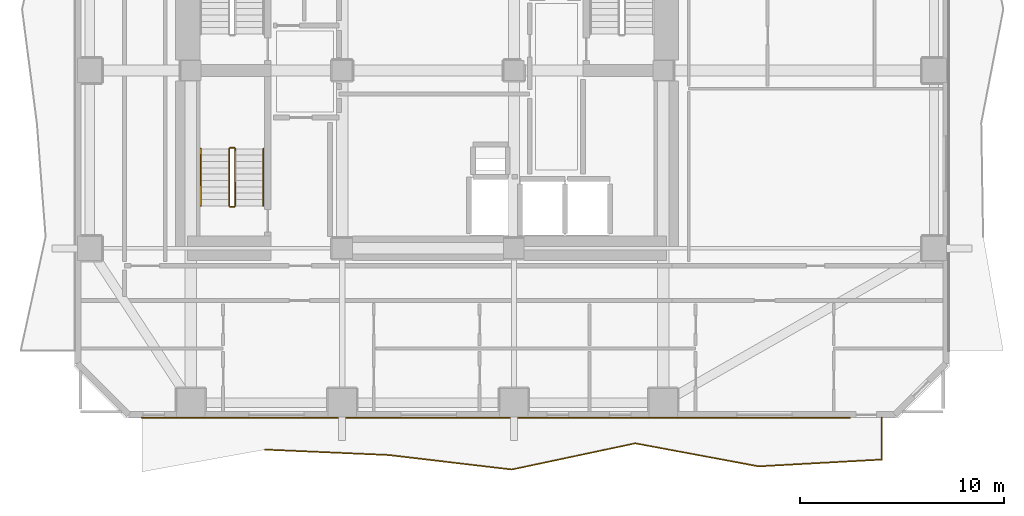
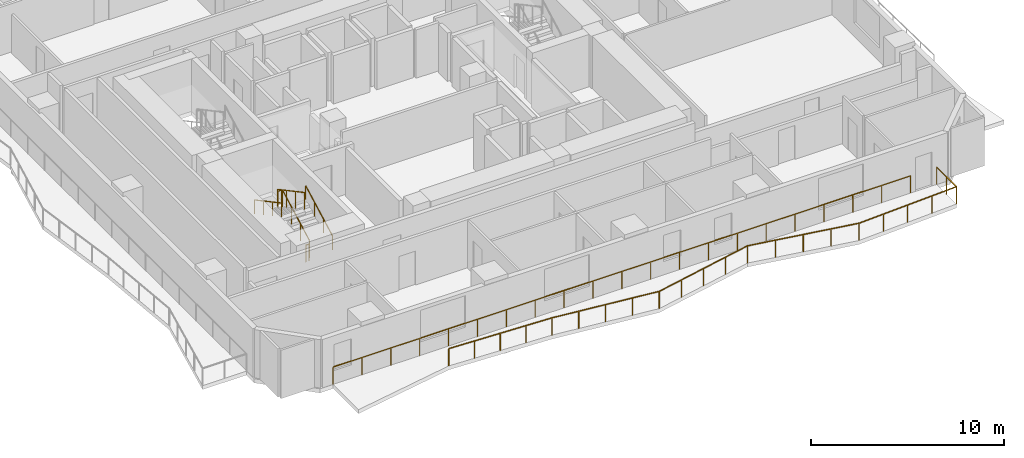
# One storey, part 8 of 11: 8 railings.
"""IFC4 building model written with IfcOpenShell, lengths in metres."""

import ifcopenshell
import ifcopenshell.guid

model = None  # the IFC model being written
_history = None  # IfcOwnerHistory: only IFC2X3 demands one
_inside = {}  # id of a spatial element -> (the spatial element, [elements in it])
_under = {}  # id of a project, library or spatial element -> (it, [spatial elements below it])
_declared = {}  # id of a project -> (the project, [libraries it declares])
_typed = {}  # id of a type object -> (the type object, [elements of that type])
_made_of = {}  # id of a material, layer set ... -> (it, [elements and type objects made of it])


def new_model(schema):
    """Start an empty IFC model of exactly this schema.

    Asked for "IFC4X3", IfcOpenShell would pick the latest addendum, in which some entities
    have other attributes; the version numbers below select the first issue.
    IFC2X3 requires an IfcOwnerHistory on every rooted entity: one is made here for all.
    """
    global model, _history
    if schema == "IFC4X3":
        model = ifcopenshell.file(schema_version=(4, 3, 0, 0))
    else:
        model = ifcopenshell.file(schema=schema)
    _inside.clear()
    _under.clear()
    _declared.clear()
    _typed.clear()
    _made_of.clear()
    _history = None
    if model.schema == "IFC2X3":
        org = make("IfcOrganization", Name="unknown")
        user = make(
            "IfcPersonAndOrganization",
            ThePerson=make("IfcPerson", FamilyName="unknown"),
            TheOrganization=org,
        )
        app = make(
            "IfcApplication",
            ApplicationDeveloper=org,
            Version="unknown",
            ApplicationFullName="unknown",
            ApplicationIdentifier="unknown",
        )
        _history = make(
            "IfcOwnerHistory",
            OwningUser=user,
            OwningApplication=app,
            ChangeAction="ADDED",
            CreationDate=0,
        )
    return model


def make(cls, **values):
    """One entity of the class cls with the attributes given. An attribute that is None is left unset."""
    return model.create_entity(
        cls, **{name: value for name, value in values.items() if value is not None}
    )


def rooted(cls, **values):
    """An entity with a GlobalId (a new one), such as an element, a storey or a relation."""
    return make(cls, GlobalId=ifcopenshell.guid.new(), OwnerHistory=_history, **values)


def si_unit(unit_type, name, prefix=None):
    """IfcSIUnit, for example si_unit("LENGTHUNIT", "METRE", prefix="MILLI")."""
    return make("IfcSIUnit", UnitType=unit_type, Prefix=prefix, Name=name)


def assignment(units):
    """IfcUnitAssignment: the units of a project."""
    return None if units is None else make("IfcUnitAssignment", Units=units)


def point(xyz):
    """IfcCartesianPoint."""
    return None if xyz is None else make("IfcCartesianPoint", Coordinates=xyz)


def direction(xyz):
    """IfcDirection."""
    return None if xyz is None else make("IfcDirection", DirectionRatios=xyz)


def frame(location, z_axis=None, x_axis=None):
    """IfcAxis2Placement3D, a coordinate frame: its origin and axes. An axis left out is left unset."""
    return make(
        "IfcAxis2Placement3D",
        Location=point(location),
        Axis=direction(z_axis),
        RefDirection=direction(x_axis),
    )


def frame_2d(location, x_axis=None):
    """IfcAxis2Placement2D, a coordinate frame in the plane: its origin and x axis."""
    return make(
        "IfcAxis2Placement2D", Location=point(location), RefDirection=direction(x_axis)
    )


def origin():
    """The frame at (0, 0, 0) with its axes left unset."""
    return frame((0.0, 0.0, 0.0))


def origin_2d():
    """The frame at (0, 0) in the plane with its x axis left unset."""
    return frame_2d((0.0, 0.0))


def place(relative_to, where):
    """IfcLocalPlacement: puts the frame where relative to a parent placement (None: the world)."""
    return make(
        "IfcLocalPlacement", PlacementRelTo=relative_to, RelativePlacement=where
    )


def context(
    kind, dimensions, precision=None, world=None, true_north=None, identifier=None
):
    """IfcGeometricRepresentationContext, for example the 3D "Model" context."""
    return make(
        "IfcGeometricRepresentationContext",
        ContextIdentifier=identifier,
        ContextType=kind,
        CoordinateSpaceDimension=dimensions,
        Precision=precision,
        WorldCoordinateSystem=world,
        TrueNorth=true_north,
    )


def subcontext(parent, identifier, kind, view, scale=None):
    """IfcGeometricRepresentationSubContext, for example "Body" below "Model"."""
    return make(
        "IfcGeometricRepresentationSubContext",
        ContextIdentifier=identifier,
        ContextType=kind,
        ParentContext=parent,
        TargetScale=scale,
        TargetView=view,
    )


def project(units=None, contexts=None):
    """IfcProject with its units and contexts."""
    return rooted(
        "IfcProject",
        Name="project",
        RepresentationContexts=contexts,
        UnitsInContext=assignment(units),
    )


def spatial(cls, under=None, at=None, **own):
    """A site, building, storey or space (cls), placed at a placement, below another one or the project."""
    s = rooted(cls, ObjectPlacement=at, **own)
    if under is not None:
        _under.setdefault(under.id(), (under, []))[1].append(s)
    return s


def profile(cls, at=None, kind="AREA", **sizes):
    """A parametric profile (cls). Its sizes go by their IFC names, for example OverallWidth=200.0."""
    return make(cls, ProfileType=kind, Position=at, **sizes)


def rectangle(**sizes):
    """IfcRectangleProfileDef."""
    return profile("IfcRectangleProfileDef", **sizes)


def extrude(swept, where, along, depth):
    """IfcExtrudedAreaSolid: the profile swept, set in the frame where, extruded along a direction by depth."""
    return make(
        "IfcExtrudedAreaSolid",
        SweptArea=swept,
        Position=where,
        ExtrudedDirection=direction(along),
        Depth=depth,
    )


def shape(context_of_items, identifier, shape_type, items):
    """IfcShapeRepresentation: the items that make up one representation, for example the "Body"."""
    return make(
        "IfcShapeRepresentation",
        ContextOfItems=context_of_items,
        RepresentationIdentifier=identifier,
        RepresentationType=shape_type,
        Items=items,
    )


def material(Name=None, Category=None):
    """IfcMaterial."""
    return make("IfcMaterial", Name=Name, Category=Category)


def made_of(thing, what):
    """Note that an element or type object is made of a material, layer set ...; save() writes the relation."""
    if what is not None:
        _made_of.setdefault(what.id(), (what, []))[1].append(thing)
    return thing


def type_object(cls, material=None, **own):
    """A type object (cls), such as IfcWallType, which elements share."""
    return made_of(rooted(cls, **own), material)


def element(
    cls,
    number,
    at=None,
    inside=None,
    cuts=None,
    type_object=None,
    material=None,
    context=None,
    identifier="Body",
    shape_type=None,
    held_by="IfcProductDefinitionShape",
    body=None,
    shapes=None,
    **own,
):
    """One element of the class cls, such as IfcWall. Its Tag is "e" and its number.

    at: its placement. inside: the storey or other place that contains it. cuts: it is an
    opening in that element (IfcRelVoidsElement). A single representation is given by context,
    identifier, shape_type and body (its items); several are given by shapes. held_by: the class
    of the entity that holds the representations. save() writes the other relations.
    """
    e = rooted(cls, Tag="e%d" % number, ObjectPlacement=at, **own)
    if body is not None:
        shapes = [shape(context, identifier, shape_type, body)]
    if shapes is not None:
        e.Representation = make(held_by, Representations=shapes)
    if inside is not None:
        _inside.setdefault(inside.id(), (inside, []))[1].append(e)
    if cuts is not None:
        rooted(
            "IfcRelVoidsElement", RelatingBuildingElement=cuts, RelatedOpeningElement=e
        )
    if type_object is not None:
        _typed.setdefault(type_object.id(), (type_object, []))[1].append(e)
    return made_of(e, material)


def aggregate(whole, parts):
    """IfcRelAggregates: a whole, such as a stair, and the parts it consists of."""
    return rooted("IfcRelAggregates", RelatingObject=whole, RelatedObjects=parts)


def save(model, path):
    """Write the relations noted so far, then the file.

    IfcRelAggregates (storeys below a building ...), IfcRelContainedInSpatialStructure (elements
    in a storey), IfcRelDefinesByType, IfcRelAssociatesMaterial and IfcRelDeclares: one each for
    every whole, place, type object, material and project.
    """
    for whole, parts in _under.values():
        aggregate(whole, parts)
    for where, things in _inside.values():
        rooted(
            "IfcRelContainedInSpatialStructure",
            RelatedElements=things,
            RelatingStructure=where,
        )
    for kind, things in _typed.values():
        rooted("IfcRelDefinesByType", RelatedObjects=things, RelatingType=kind)
    for what, things in _made_of.values():
        rooted("IfcRelAssociatesMaterial", RelatedObjects=things, RelatingMaterial=what)
    for by, libraries in _declared.values():
        rooted("IfcRelDeclares", RelatingContext=by, RelatedDefinitions=libraries)
    model.write(path)


model = new_model("IFC4")

# Units and contexts
model_context = context("Model", 3, precision=1e-05, world=origin(), true_north=direction((0.0, 1.0)))
body_context = subcontext(model_context, "Body", "Model", "MODEL_VIEW")
ifc_project = project(units=[si_unit("LENGTHUNIT", "METRE"), si_unit("AREAUNIT", "SQUARE_METRE"), si_unit("VOLUMEUNIT", "CUBIC_METRE"), si_unit("PLANEANGLEUNIT", "RADIAN"), si_unit("MASSUNIT", "GRAM", prefix="KILO")], contexts=[model_context])

# Site, building, storey
site_placement = place(None, origin())
site = spatial("IfcSite", under=ifc_project, at=site_placement, CompositionType="ELEMENT")
building_placement = place(site_placement, origin())
building = spatial("IfcBuilding", under=site, at=building_placement, Name="Solanera Arch Residences", CompositionType="ELEMENT")
storey_placement = place(building_placement, frame((0.0, 0.0, 68.47998046875)))
storey = spatial("IfcBuildingStorey", under=building, at=storey_placement, Name="L19", CompositionType="ELEMENT", Elevation=68.47998046875)

# Railings
ifc_material_1 = material(Name="Steel S355 (ASTM A992 / A572 Grade 50)", Category="steel")
railing_type_1 = type_object("IfcRailingType", Name="Balustrade Railing BL-1100", PredefinedType="BALUSTRADE", material=ifc_material_1)
railing_1_placement = place(storey_placement, frame((17.032958984375, 12.154052734375, 0.0)))
element("IfcRailing", 1, at=railing_1_placement, inside=storey, type_object=railing_type_1, Name="L19 S Balcony Balustrade 1", PredefinedType="BALUSTRADE", context=body_context, shape_type="SweptSolid", body=[
    extrude(rectangle(XDim=0.048095703125, YDim=0.048095703125, at=origin_2d()), frame((0.0, 0.0, 1.09619140625), z_axis=(0.999035993244, -0.043898567213, 0.0), x_axis=(0.043898567213, 0.999035993244, 0.0)), (0.0, 0.0, 1.0), 6.039794921875),
    extrude(rectangle(XDim=0.048095703125, YDim=0.048095703125, at=origin_2d()), frame((6.033935546875, -0.26513671875, 1.09619140625), z_axis=(0.993165958324, -0.116710664575, 0.0), x_axis=(0.116710664575, 0.993165958324, 0.0)), (0.0, 0.0, 1.0), 6.07470703125),
    extrude(rectangle(XDim=0.048095703125, YDim=0.048095703125, at=origin_2d()), frame((12.067138671875, -0.97412109375, 1.09619140625), z_axis=(0.97819173664, 0.207703939223, 0.0), x_axis=(-0.207703939223, 0.97819173664, 0.0)), (0.0, 0.0, 1.0), 6.16748046875),
    extrude(rectangle(XDim=0.048095703125, YDim=0.048095703125, at=origin_2d()), frame((18.10009765625, 0.306884765625, 1.09619140625), z_axis=(0.983030769908, -0.183440740879, 0.0), x_axis=(0.183440740879, 0.983030769908, 0.0)), (0.0, 0.0, 1.0), 6.13818359375),
    extrude(rectangle(XDim=0.048095703125, YDim=0.048095703125, at=origin_2d()), frame((24.134033203125, -0.819091796875, 1.09619140625), z_axis=(0.998488939187, 0.054953055615, 0.0), x_axis=(-0.054953055615, 0.998488939187, 0.0)), (0.0, 0.0, 1.0), 6.0419921875),
    extrude(rectangle(XDim=0.048095703125, YDim=0.048095703125, at=origin_2d()), frame((30.1669921875, -0.487060546875, 1.09619140625), z_axis=(0.0, 1.0, 0.0), x_axis=(-1.0, 0.0, 0.0)), (0.0, 0.0, 1.0), 2.052978515625),
    extrude(rectangle(XDim=0.0419921875, YDim=0.0419921875, at=origin_2d()), origin(), (0.0, 0.0, 1.0), 1.072021484375),
    extrude(rectangle(XDim=0.0419921875, YDim=0.0419921875, at=origin_2d()), frame((1.508544921875, -0.06640625, 0.0)), (0.0, 0.0, 1.0), 1.072021484375),
    extrude(rectangle(XDim=0.0419921875, YDim=0.0419921875, at=origin_2d()), frame((3.01708984375, -0.132568359375, 0.0)), (0.0, 0.0, 1.0), 1.072021484375),
    extrude(rectangle(XDim=0.0419921875, YDim=0.0419921875, at=origin_2d()), frame((4.525390625, -0.19873046875, 0.0)), (0.0, 0.0, 1.0), 1.072021484375),
    extrude(rectangle(XDim=0.0419921875, YDim=0.0419921875, at=origin_2d()), frame((6.033935546875, -0.26513671875, 0.0)), (0.0, 0.0, 1.0), 1.072021484375),
    extrude(rectangle(XDim=0.0419921875, YDim=0.0419921875, at=origin_2d()), frame((7.542236328125, -0.4423828125, 0.0)), (0.0, 0.0, 1.0), 1.072021484375),
    extrude(rectangle(XDim=0.0419921875, YDim=0.0419921875, at=origin_2d()), frame((9.050537109375, -0.61962890625, 0.0)), (0.0, 0.0, 1.0), 1.072021484375),
    extrude(rectangle(XDim=0.0419921875, YDim=0.0419921875, at=origin_2d()), frame((10.558837890625, -0.796875, 0.0)), (0.0, 0.0, 1.0), 1.072021484375),
    extrude(rectangle(XDim=0.0419921875, YDim=0.0419921875, at=origin_2d()), frame((12.067138671875, -0.97412109375, 0.0)), (0.0, 0.0, 1.0), 1.072021484375),
    extrude(rectangle(XDim=0.0419921875, YDim=0.0419921875, at=origin_2d()), frame((13.575439453125, -0.65380859375, 0.0)), (0.0, 0.0, 1.0), 1.072021484375),
    extrude(rectangle(XDim=0.0419921875, YDim=0.0419921875, at=origin_2d()), frame((15.08349609375, -0.33349609375, 0.0)), (0.0, 0.0, 1.0), 1.072021484375),
    extrude(rectangle(XDim=0.0419921875, YDim=0.0419921875, at=origin_2d()), frame((16.591796875, -0.013427734375, 0.0)), (0.0, 0.0, 1.0), 1.072021484375),
    extrude(rectangle(XDim=0.0419921875, YDim=0.0419921875, at=origin_2d()), frame((18.10009765625, 0.306884765625, 0.0)), (0.0, 0.0, 1.0), 1.072021484375),
    extrude(rectangle(XDim=0.0419921875, YDim=0.0419921875, at=origin_2d()), frame((19.608642578125, 0.025390625, 0.0)), (0.0, 0.0, 1.0), 1.072021484375),
    extrude(rectangle(XDim=0.0419921875, YDim=0.0419921875, at=origin_2d()), frame((21.1171875, -0.256103515625, 0.0)), (0.0, 0.0, 1.0), 1.072021484375),
    extrude(rectangle(XDim=0.0419921875, YDim=0.0419921875, at=origin_2d()), frame((22.62548828125, -0.53759765625, 0.0)), (0.0, 0.0, 1.0), 1.072021484375),
    extrude(rectangle(XDim=0.0419921875, YDim=0.0419921875, at=origin_2d()), frame((24.134033203125, -0.819091796875, 0.0)), (0.0, 0.0, 1.0), 1.072021484375),
    extrude(rectangle(XDim=0.0419921875, YDim=0.0419921875, at=origin_2d()), frame((25.642333984375, -0.736083984375, 0.0)), (0.0, 0.0, 1.0), 1.072021484375),
    extrude(rectangle(XDim=0.0419921875, YDim=0.0419921875, at=origin_2d()), frame((27.150390625, -0.653076171875, 0.0)), (0.0, 0.0, 1.0), 1.072021484375),
    extrude(rectangle(XDim=0.0419921875, YDim=0.0419921875, at=origin_2d()), frame((28.65869140625, -0.570068359375, 0.0)), (0.0, 0.0, 1.0), 1.072021484375),
    extrude(rectangle(XDim=0.0419921875, YDim=0.0419921875, at=origin_2d()), frame((30.1669921875, -0.487060546875, 0.0)), (0.0, 0.0, 1.0), 1.072021484375),
    extrude(rectangle(XDim=0.0419921875, YDim=0.0419921875, at=origin_2d()), frame((30.1669921875, 0.53955078125, 0.0)), (0.0, 0.0, 1.0), 1.072021484375),
    extrude(rectangle(XDim=0.0419921875, YDim=0.0419921875, at=origin_2d()), frame((30.1669921875, 1.56591796875, 0.0)), (0.0, 0.0, 1.0), 1.072021484375),
])
railing_2_placement = place(storey_placement, frame((45.634033203125, 13.719970703125, 0.0)))
element("IfcRailing", 2, at=railing_2_placement, inside=storey, type_object=railing_type_1, Name="L19 S Balcony Balustrade 2", PredefinedType="BALUSTRADE", context=body_context, shape_type="SweptSolid", body=[
    extrude(rectangle(XDim=0.048095703125, YDim=0.048095703125, at=origin_2d()), frame((0.0, 0.0, 1.09619140625), z_axis=(-1.0, 0.0, 0.0), x_axis=(0.0, -1.0, 0.0)), (0.0, 0.0, 1.0), 34.634033203125),
    extrude(rectangle(XDim=0.0419921875, YDim=0.0419921875, at=origin_2d()), origin(), (0.0, 0.0, 1.0), 1.072021484375),
    extrude(rectangle(XDim=0.0419921875, YDim=0.0419921875, at=origin_2d()), frame((-1.731689453125, 0.0, 0.0)), (0.0, 0.0, 1.0), 1.072021484375),
    extrude(rectangle(XDim=0.0419921875, YDim=0.0419921875, at=origin_2d()), frame((-3.46337890625, 0.0, 0.0)), (0.0, 0.0, 1.0), 1.072021484375),
    extrude(rectangle(XDim=0.0419921875, YDim=0.0419921875, at=origin_2d()), frame((-5.195068359375, 0.0, 0.0)), (0.0, 0.0, 1.0), 1.072021484375),
    extrude(rectangle(XDim=0.0419921875, YDim=0.0419921875, at=origin_2d()), frame((-6.9267578125, 0.0, 0.0)), (0.0, 0.0, 1.0), 1.072021484375),
    extrude(rectangle(XDim=0.0419921875, YDim=0.0419921875, at=origin_2d()), frame((-8.658447265625, 0.0, 0.0)), (0.0, 0.0, 1.0), 1.072021484375),
    extrude(rectangle(XDim=0.0419921875, YDim=0.0419921875, at=origin_2d()), frame((-10.39013671875, 0.0, 0.0)), (0.0, 0.0, 1.0), 1.072021484375),
    extrude(rectangle(XDim=0.0419921875, YDim=0.0419921875, at=origin_2d()), frame((-12.121826171875, 0.0, 0.0)), (0.0, 0.0, 1.0), 1.072021484375),
    extrude(rectangle(XDim=0.0419921875, YDim=0.0419921875, at=origin_2d()), frame((-13.853515625, 0.0, 0.0)), (0.0, 0.0, 1.0), 1.072021484375),
    extrude(rectangle(XDim=0.0419921875, YDim=0.0419921875, at=origin_2d()), frame((-15.585205078125, 0.0, 0.0)), (0.0, 0.0, 1.0), 1.072021484375),
    extrude(rectangle(XDim=0.0419921875, YDim=0.0419921875, at=origin_2d()), frame((-17.31689453125, 0.0, 0.0)), (0.0, 0.0, 1.0), 1.072021484375),
    extrude(rectangle(XDim=0.0419921875, YDim=0.0419921875, at=origin_2d()), frame((-19.048828125, 0.0, 0.0)), (0.0, 0.0, 1.0), 1.072021484375),
    extrude(rectangle(XDim=0.0419921875, YDim=0.0419921875, at=origin_2d()), frame((-20.780517578125, 0.0, 0.0)), (0.0, 0.0, 1.0), 1.072021484375),
    extrude(rectangle(XDim=0.0419921875, YDim=0.0419921875, at=origin_2d()), frame((-22.51220703125, 0.0, 0.0)), (0.0, 0.0, 1.0), 1.072021484375),
    extrude(rectangle(XDim=0.0419921875, YDim=0.0419921875, at=origin_2d()), frame((-24.243896484375, 0.0, 0.0)), (0.0, 0.0, 1.0), 1.072021484375),
    extrude(rectangle(XDim=0.0419921875, YDim=0.0419921875, at=origin_2d()), frame((-25.9755859375, 0.0, 0.0)), (0.0, 0.0, 1.0), 1.072021484375),
    extrude(rectangle(XDim=0.0419921875, YDim=0.0419921875, at=origin_2d()), frame((-27.707275390625, 0.0, 0.0)), (0.0, 0.0, 1.0), 1.072021484375),
    extrude(rectangle(XDim=0.0419921875, YDim=0.0419921875, at=origin_2d()), frame((-29.43896484375, 0.0, 0.0)), (0.0, 0.0, 1.0), 1.072021484375),
    extrude(rectangle(XDim=0.0419921875, YDim=0.0419921875, at=origin_2d()), frame((-31.170654296875, 0.0, 0.0)), (0.0, 0.0, 1.0), 1.072021484375),
    extrude(rectangle(XDim=0.0419921875, YDim=0.0419921875, at=origin_2d()), frame((-32.90234375, 0.0, 0.0)), (0.0, 0.0, 1.0), 1.072021484375),
    extrude(rectangle(XDim=0.0419921875, YDim=0.0419921875, at=origin_2d()), frame((-34.634033203125, 0.0, 0.0)), (0.0, 0.0, 1.0), 1.072021484375),
])
ifc_material_2 = material(Name="Steel S355 (ASTM A992 / A572 Grade 50)", Category="steel")
railing_type_2 = type_object("IfcRailingType", Name="Stair Guardrail GR-1100", PredefinedType="GUARDRAIL", material=ifc_material_2)
railing_3_placement = place(storey_placement, frame((15.570068359375, 24.080078125, 0.151123046875)))
element("IfcRailing", 3, at=railing_3_placement, inside=storey, type_object=railing_type_2, Name="L19 ST-T3 stair guard 1", PredefinedType="GUARDRAIL", context=body_context, shape_type="SweptSolid", body=[
    extrude(rectangle(XDim=0.048095703125, YDim=0.048095703125, at=origin_2d()), frame((0.0, 0.0, 1.076171875), z_axis=(0.0, 0.881580869306, 0.472033018838), x_axis=(-1.0, 0.0, 0.0)), (0.0, 0.0, 1.0), 3.164794921875),
    extrude(rectangle(XDim=0.0419921875, YDim=0.0419921875, at=origin_2d()), origin(), (0.0, 0.0, 1.0), 1.052001953125),
    extrude(rectangle(XDim=0.0419921875, YDim=0.0419921875, at=origin_2d()), frame((0.0, 0.929931640625, 0.498046875)), (0.0, 0.0, 1.0), 1.052001953125),
    extrude(rectangle(XDim=0.0419921875, YDim=0.0419921875, at=origin_2d()), frame((0.0, 1.860107421875, 0.995849609375)), (0.0, 0.0, 1.0), 1.052001953125),
    extrude(rectangle(XDim=0.0419921875, YDim=0.0419921875, at=origin_2d()), frame((0.0, 2.7900390625, 1.493896484375)), (0.0, 0.0, 1.0), 1.052001953125),
])
railing_4_placement = place(storey_placement, frame((15.52001953125, 26.919921875, 1.64501953125)))
element("IfcRailing", 4, at=railing_4_placement, inside=storey, type_object=railing_type_2, Name="L19 ST-T3 stair guard 2", PredefinedType="GUARDRAIL", context=body_context, shape_type="SweptSolid", body=[
    extrude(rectangle(XDim=0.048095703125, YDim=0.048095703125, at=origin_2d()), frame((0.0, 0.0, 1.076171875), z_axis=(-1.0, 0.0, 0.0), x_axis=(0.0, -1.0, 0.0)), (0.0, 0.0, 1.0), 0.199951171875),
    extrude(rectangle(XDim=0.0419921875, YDim=0.0419921875, at=origin_2d()), origin(), (0.0, 0.0, 1.0), 1.052001953125),
    extrude(rectangle(XDim=0.0419921875, YDim=0.0419921875, at=origin_2d()), frame((-0.199951171875, 0.0, 0.0)), (0.0, 0.0, 1.0), 1.052001953125),
])
railing_5_placement = place(storey_placement, frame((15.27001953125, 26.8701171875, 1.81103515625)))
element("IfcRailing", 5, at=railing_5_placement, inside=storey, type_object=railing_type_2, Name="L19 ST-T3 stair guard 3", PredefinedType="GUARDRAIL", context=body_context, shape_type="SweptSolid", body=[
    extrude(rectangle(XDim=0.048095703125, YDim=0.048095703125, at=origin_2d()), frame((0.0, 0.0, 1.076171875), z_axis=(0.0, -0.881580869306, 0.472033018838), x_axis=(1.0, 0.0, 0.0)), (0.0, 0.0, 1.0), 3.164794921875),
    extrude(rectangle(XDim=0.0419921875, YDim=0.0419921875, at=origin_2d()), origin(), (0.0, 0.0, 1.0), 1.052001953125),
    extrude(rectangle(XDim=0.0419921875, YDim=0.0419921875, at=origin_2d()), frame((0.0, -0.929931640625, 0.498046875)), (0.0, 0.0, 1.0), 1.052001953125),
    extrude(rectangle(XDim=0.0419921875, YDim=0.0419921875, at=origin_2d()), frame((0.0, -1.860107421875, 0.995849609375)), (0.0, 0.0, 1.0), 1.052001953125),
    extrude(rectangle(XDim=0.0419921875, YDim=0.0419921875, at=origin_2d()), frame((0.0, -2.7900390625, 1.493896484375)), (0.0, 0.0, 1.0), 1.052001953125),
])
railing_6_placement = place(storey_placement, frame((15.52001953125, 24.030029296875, -0.014892578125)))
element("IfcRailing", 6, at=railing_6_placement, inside=storey, type_object=railing_type_2, Name="L19 ST-T3 stair guard 4", PredefinedType="GUARDRAIL", context=body_context, shape_type="SweptSolid", body=[
    extrude(rectangle(XDim=0.048095703125, YDim=0.048095703125, at=origin_2d()), frame((0.0, 0.0, 1.076171875), z_axis=(-1.0, 0.0, 0.0), x_axis=(0.0, -1.0, 0.0)), (0.0, 0.0, 1.0), 0.199951171875),
    extrude(rectangle(XDim=0.0419921875, YDim=0.0419921875, at=origin_2d()), origin(), (0.0, 0.0, 1.0), 1.052001953125),
    extrude(rectangle(XDim=0.0419921875, YDim=0.0419921875, at=origin_2d()), frame((-0.199951171875, 0.0, 0.0)), (0.0, 0.0, 1.0), 1.052001953125),
])
ifc_material_3 = material(Name="Steel S355 (ASTM A992 / A572 Grade 50)", Category="steel")
railing_type_3 = type_object("IfcRailingType", Name="Stair Wall Handrail HR-920", PredefinedType="HANDRAIL", material=ifc_material_3)
railing_7_placement = place(storey_placement, frame((16.949951171875, 24.080078125, 0.166015625)))
element("IfcRailing", 7, at=railing_7_placement, inside=storey, type_object=railing_type_3, Name="L19 ST-T3 stair handrail 1", PredefinedType="HANDRAIL", context=body_context, shape_type="SweptSolid", body=[
    extrude(rectangle(XDim=0.048095703125, YDim=0.048095703125, at=origin_2d()), frame((0.0, 0.0, 0.8759765625), z_axis=(0.0, 0.881580869306, 0.472033018838), x_axis=(-1.0, 0.0, 0.0)), (0.0, 0.0, 1.0), 3.164794921875),
    extrude(rectangle(XDim=0.0419921875, YDim=0.0419921875, at=origin_2d()), origin(), (0.0, 0.0, 1.0), 0.851806640625),
    extrude(rectangle(XDim=0.0419921875, YDim=0.0419921875, at=origin_2d()), frame((0.0, 0.929931640625, 0.498046875)), (0.0, 0.0, 1.0), 0.851806640625),
    extrude(rectangle(XDim=0.0419921875, YDim=0.0419921875, at=origin_2d()), frame((0.0, 1.860107421875, 0.995849609375)), (0.0, 0.0, 1.0), 0.851806640625),
    extrude(rectangle(XDim=0.0419921875, YDim=0.0419921875, at=origin_2d()), frame((0.0, 2.7900390625, 1.493896484375)), (0.0, 0.0, 1.0), 0.851806640625),
])
railing_8_placement = place(storey_placement, frame((13.889892578125, 26.8701171875, 1.825927734375)))
element("IfcRailing", 8, at=railing_8_placement, inside=storey, type_object=railing_type_3, Name="L19 ST-T3 stair handrail 2", PredefinedType="HANDRAIL", context=body_context, shape_type="SweptSolid", body=[
    extrude(rectangle(XDim=0.048095703125, YDim=0.048095703125, at=origin_2d()), frame((0.0, 0.0, 0.8759765625), z_axis=(0.0, -0.881548766853, 0.472092969298), x_axis=(1.0, 0.0, 0.0)), (0.0, 0.0, 1.0), 3.1650390625),
    extrude(rectangle(XDim=0.0419921875, YDim=0.0419921875, at=origin_2d()), origin(), (0.0, 0.0, 1.0), 0.851806640625),
    extrude(rectangle(XDim=0.0419921875, YDim=0.0419921875, at=origin_2d()), frame((0.0, -0.929931640625, 0.498046875)), (0.0, 0.0, 1.0), 0.851806640625),
    extrude(rectangle(XDim=0.0419921875, YDim=0.0419921875, at=origin_2d()), frame((0.0, -1.860107421875, 0.99609375)), (0.0, 0.0, 1.0), 0.851806640625),
    extrude(rectangle(XDim=0.0419921875, YDim=0.0419921875, at=origin_2d()), frame((0.0, -2.7900390625, 1.494140625)), (0.0, 0.0, 1.0), 0.851806640625),
])

save(model, "model.ifc")
